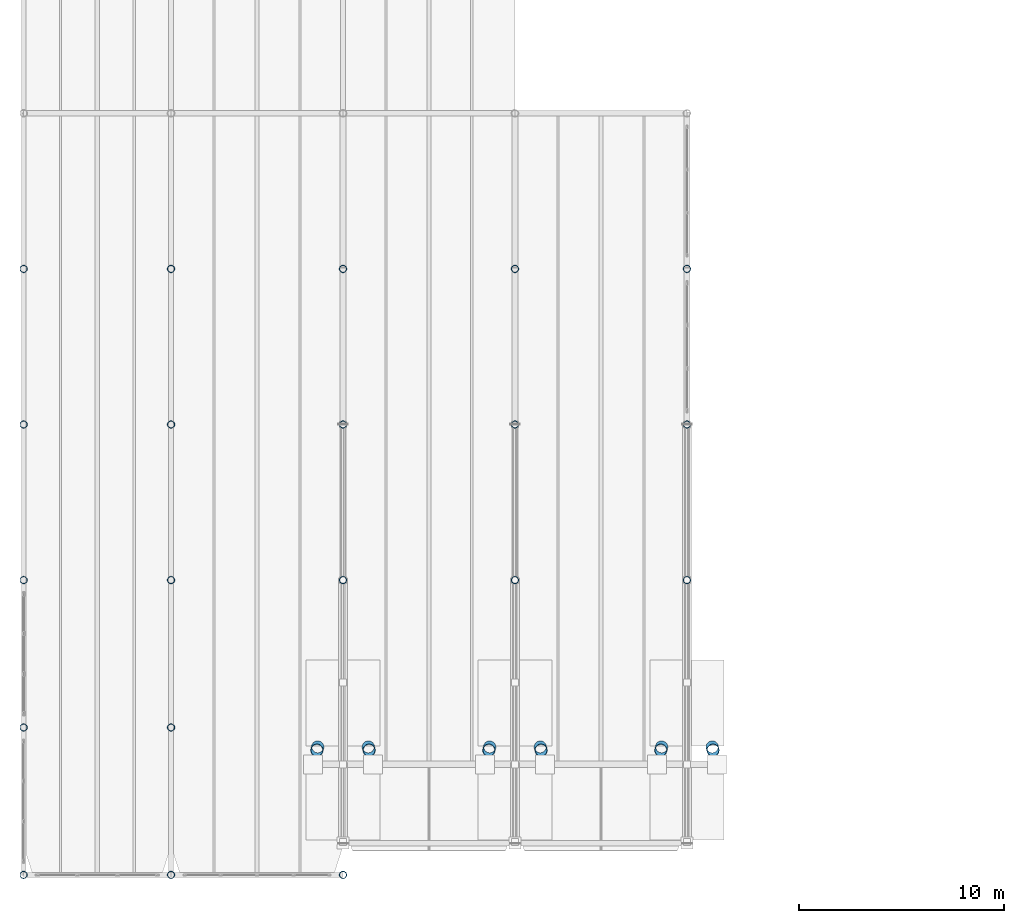
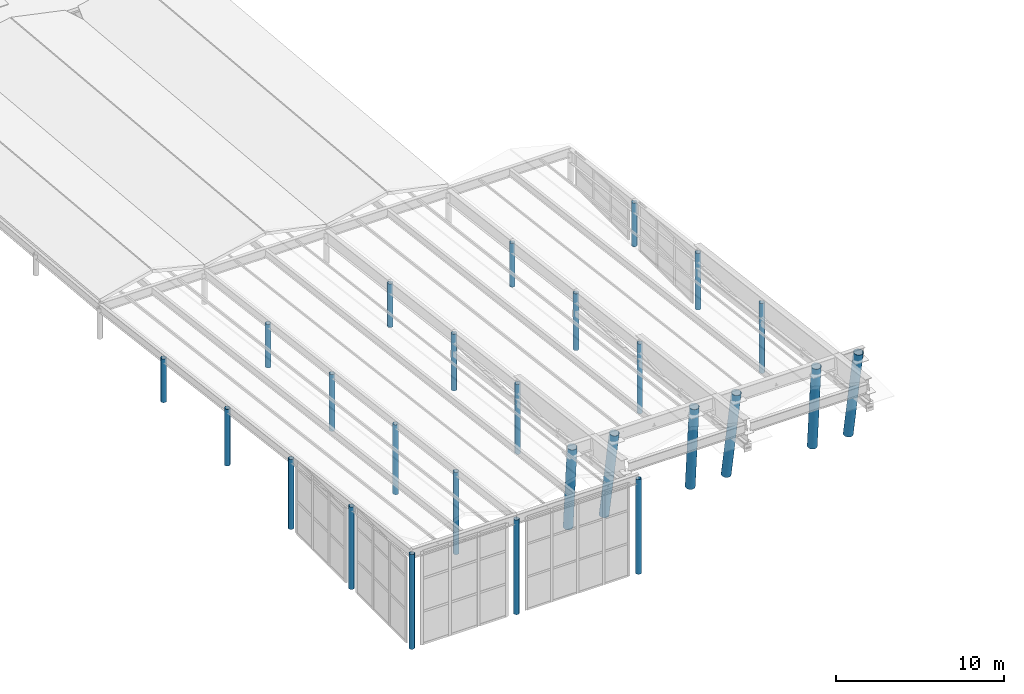
# One storey, part 1 of 14: 26 columns.
"""IFC4 building model written with IfcOpenShell, lengths in metres."""

from ifc_helpers import new_model, si_unit, direction, frame, origin, origin_2d, place, context, subcontext, project, spatial, hollow_circle, extrude, material, material_profile, profile_set, type_object, element, save


model = new_model("IFC4")

# Units and contexts
model_context = context("Model", 3, precision=1e-05, world=origin(), true_north=direction((0.0, 1.0)))
body_context = subcontext(model_context, "Body", "Model", "MODEL_VIEW")
ifc_project = project(units=[si_unit("LENGTHUNIT", "METRE"), si_unit("AREAUNIT", "SQUARE_METRE"), si_unit("VOLUMEUNIT", "CUBIC_METRE"), si_unit("PLANEANGLEUNIT", "RADIAN"), si_unit("MASSUNIT", "GRAM", prefix="KILO")], contexts=[model_context])

# Site, building, storey
site_placement = place(None, origin())
site = spatial("IfcSite", under=ifc_project, at=site_placement, CompositionType="ELEMENT")
building_placement = place(site_placement, origin())
building = spatial("IfcBuilding", under=site, at=building_placement, Name="Xicomal Pleat Aquarium", CompositionType="ELEMENT")
storey_placement = place(building_placement, frame((0.0, 0.0, 24.0)))
storey = spatial("IfcBuildingStorey", under=building, at=storey_placement, Name="RF", CompositionType="ELEMENT", Elevation=24.0)

# Columns
ifc_material_1 = material(Name="Architectural steel ASTM A572 Gr 50", Category="steel")
ifc_material_profile_1 = material_profile(ifc_material_1, hollow_circle(Radius=0.177978515625, WallThickness=0.01611328125, at=origin_2d()), Name="OC 356x16")
ifc_profile_set_1 = profile_set([ifc_material_profile_1], Name="Architectural steel ASTM A572 Gr 50")
column_type_1 = type_object("IfcColumnType", Name="COL-STL-OC356", PredefinedType="COLUMN", material=ifc_profile_set_1)
column_1_placement = place(storey_placement, frame((3.0, 0.800048828125, 0.0), z_axis=(0.0, 0.0, 1.0), x_axis=(1.0, 0.0, 0.0)))
element("IfcColumn", 1, at=column_1_placement, inside=storey, type_object=column_type_1, Name="RF pleated canopy support post 01/A", PredefinedType="COLUMN", context=body_context, shape_type="SweptSolid", body=[
    extrude(hollow_circle(Radius=0.177978515625, WallThickness=0.01611328125, at=origin_2d()), origin(), (0.0, 0.0, 1.0), 6.89111328125),
])
column_2_placement = place(storey_placement, frame((3.0, 8.0, 0.0), z_axis=(0.0, 0.0, 1.0), x_axis=(1.0, 0.0, 0.0)))
element("IfcColumn", 2, at=column_2_placement, inside=storey, type_object=column_type_1, Name="RF pleated canopy support post 01/B", PredefinedType="COLUMN", context=body_context, shape_type="SweptSolid", body=[
    extrude(hollow_circle(Radius=0.177978515625, WallThickness=0.01611328125, at=origin_2d()), origin(), (0.0, 0.0, 1.0), 5.987060546875),
])
column_3_placement = place(storey_placement, frame((3.0, 15.199951171875, 0.0), z_axis=(0.0, 0.0, 1.0), x_axis=(1.0, 0.0, 0.0)))
element("IfcColumn", 3, at=column_3_placement, inside=storey, type_object=column_type_1, Name="RF pleated canopy support post 01/C", PredefinedType="COLUMN", context=body_context, shape_type="SweptSolid", body=[
    extrude(hollow_circle(Radius=0.177978515625, WallThickness=0.01611328125, at=origin_2d()), origin(), (0.0, 0.0, 1.0), 5.0830078125),
])
column_4_placement = place(storey_placement, frame((3.0, 22.800048828125, 0.0), z_axis=(0.0, 0.0, 1.0), x_axis=(1.0, 0.0, 0.0)))
element("IfcColumn", 4, at=column_4_placement, inside=storey, type_object=column_type_1, Name="RF pleated canopy support post 01/D", PredefinedType="COLUMN", context=body_context, shape_type="SweptSolid", body=[
    extrude(hollow_circle(Radius=0.177978515625, WallThickness=0.01611328125, at=origin_2d()), origin(), (0.0, 0.0, 1.0), 4.1279296875),
])
column_5_placement = place(storey_placement, frame((3.0, 30.39990234375, 0.0), z_axis=(0.0, 0.0, 1.0), x_axis=(1.0, 0.0, 0.0)))
element("IfcColumn", 5, at=column_5_placement, inside=storey, type_object=column_type_1, Name="RF pleated canopy support post 01/E", PredefinedType="COLUMN", context=body_context, shape_type="SweptSolid", body=[
    extrude(hollow_circle(Radius=0.177978515625, WallThickness=0.01611328125, at=origin_2d()), origin(), (0.0, 0.0, 1.0), 3.174072265625),
])
column_6_placement = place(storey_placement, frame((10.199951171875, 0.800048828125, 0.0), z_axis=(0.0, 0.0, 1.0), x_axis=(1.0, 0.0, 0.0)))
element("IfcColumn", 6, at=column_6_placement, inside=storey, type_object=column_type_1, Name="RF pleated canopy support post 02/A", PredefinedType="COLUMN", context=body_context, shape_type="SweptSolid", body=[
    extrude(hollow_circle(Radius=0.177978515625, WallThickness=0.01611328125, at=origin_2d()), origin(), (0.0, 0.0, 1.0), 6.89111328125),
])
column_7_placement = place(storey_placement, frame((10.199951171875, 8.0, 0.0), z_axis=(0.0, 0.0, 1.0), x_axis=(1.0, 0.0, 0.0)))
element("IfcColumn", 7, at=column_7_placement, inside=storey, type_object=column_type_1, Name="RF pleated canopy support post 02/B", PredefinedType="COLUMN", context=body_context, shape_type="SweptSolid", body=[
    extrude(hollow_circle(Radius=0.177978515625, WallThickness=0.01611328125, at=origin_2d()), origin(), (0.0, 0.0, 1.0), 5.987060546875),
])
column_8_placement = place(storey_placement, frame((10.199951171875, 15.199951171875, 0.0), z_axis=(0.0, 0.0, 1.0), x_axis=(1.0, 0.0, 0.0)))
element("IfcColumn", 8, at=column_8_placement, inside=storey, type_object=column_type_1, Name="RF pleated canopy support post 02/C", PredefinedType="COLUMN", context=body_context, shape_type="SweptSolid", body=[
    extrude(hollow_circle(Radius=0.177978515625, WallThickness=0.01611328125, at=origin_2d()), origin(), (0.0, 0.0, 1.0), 5.0830078125),
])
column_9_placement = place(storey_placement, frame((10.199951171875, 22.800048828125, 0.0), z_axis=(0.0, 0.0, 1.0), x_axis=(1.0, 0.0, 0.0)))
element("IfcColumn", 9, at=column_9_placement, inside=storey, type_object=column_type_1, Name="RF pleated canopy support post 02/D", PredefinedType="COLUMN", context=body_context, shape_type="SweptSolid", body=[
    extrude(hollow_circle(Radius=0.177978515625, WallThickness=0.01611328125, at=origin_2d()), origin(), (0.0, 0.0, 1.0), 4.1279296875),
])
column_10_placement = place(storey_placement, frame((10.199951171875, 30.39990234375, 0.0), z_axis=(0.0, 0.0, 1.0), x_axis=(1.0, 0.0, 0.0)))
element("IfcColumn", 10, at=column_10_placement, inside=storey, type_object=column_type_1, Name="RF pleated canopy support post 02/E", PredefinedType="COLUMN", context=body_context, shape_type="SweptSolid", body=[
    extrude(hollow_circle(Radius=0.177978515625, WallThickness=0.01611328125, at=origin_2d()), origin(), (0.0, 0.0, 1.0), 3.174072265625),
])
column_11_placement = place(storey_placement, frame((18.60009765625, 0.800048828125, 0.0), z_axis=(0.0, 0.0, 1.0), x_axis=(1.0, 0.0, 0.0)))
element("IfcColumn", 11, at=column_11_placement, inside=storey, type_object=column_type_1, Name="RF pleated canopy support post 03/A", PredefinedType="COLUMN", context=body_context, shape_type="SweptSolid", body=[
    extrude(hollow_circle(Radius=0.177978515625, WallThickness=0.01611328125, at=origin_2d()), origin(), (0.0, 0.0, 1.0), 6.89111328125),
])
column_12_placement = place(storey_placement, frame((18.60009765625, 15.199951171875, 0.0), z_axis=(0.0, 0.0, 1.0), x_axis=(1.0, 0.0, 0.0)))
element("IfcColumn", 12, at=column_12_placement, inside=storey, type_object=column_type_1, Name="RF pleated canopy support post 03/C", PredefinedType="COLUMN", context=body_context, shape_type="SweptSolid", body=[
    extrude(hollow_circle(Radius=0.177978515625, WallThickness=0.01611328125, at=origin_2d()), origin(), (0.0, 0.0, 1.0), 5.0830078125),
])
column_13_placement = place(storey_placement, frame((18.60009765625, 22.800048828125, 0.0), z_axis=(0.0, 0.0, 1.0), x_axis=(1.0, 0.0, 0.0)))
element("IfcColumn", 13, at=column_13_placement, inside=storey, type_object=column_type_1, Name="RF pleated canopy support post 03/D", PredefinedType="COLUMN", context=body_context, shape_type="SweptSolid", body=[
    extrude(hollow_circle(Radius=0.177978515625, WallThickness=0.01611328125, at=origin_2d()), origin(), (0.0, 0.0, 1.0), 4.1279296875),
])
column_14_placement = place(storey_placement, frame((18.60009765625, 30.39990234375, 0.0), z_axis=(0.0, 0.0, 1.0), x_axis=(1.0, 0.0, 0.0)))
element("IfcColumn", 14, at=column_14_placement, inside=storey, type_object=column_type_1, Name="RF pleated canopy support post 03/E", PredefinedType="COLUMN", context=body_context, shape_type="SweptSolid", body=[
    extrude(hollow_circle(Radius=0.177978515625, WallThickness=0.01611328125, at=origin_2d()), origin(), (0.0, 0.0, 1.0), 3.174072265625),
])
column_15_placement = place(storey_placement, frame((27.0, 15.199951171875, 0.0), z_axis=(0.0, 0.0, 1.0), x_axis=(1.0, 0.0, 0.0)))
element("IfcColumn", 15, at=column_15_placement, inside=storey, type_object=column_type_1, Name="RF pleated canopy support post 04/C", PredefinedType="COLUMN", context=body_context, shape_type="SweptSolid", body=[
    extrude(hollow_circle(Radius=0.177978515625, WallThickness=0.01611328125, at=origin_2d()), origin(), (0.0, 0.0, 1.0), 5.0830078125),
])
column_16_placement = place(storey_placement, frame((27.0, 22.800048828125, 0.0), z_axis=(0.0, 0.0, 1.0), x_axis=(1.0, 0.0, 0.0)))
element("IfcColumn", 16, at=column_16_placement, inside=storey, type_object=column_type_1, Name="RF pleated canopy support post 04/D", PredefinedType="COLUMN", context=body_context, shape_type="SweptSolid", body=[
    extrude(hollow_circle(Radius=0.177978515625, WallThickness=0.01611328125, at=origin_2d()), origin(), (0.0, 0.0, 1.0), 4.1279296875),
])
column_17_placement = place(storey_placement, frame((27.0, 30.39990234375, 0.0), z_axis=(0.0, 0.0, 1.0), x_axis=(1.0, 0.0, 0.0)))
element("IfcColumn", 17, at=column_17_placement, inside=storey, type_object=column_type_1, Name="RF pleated canopy support post 04/E", PredefinedType="COLUMN", context=body_context, shape_type="SweptSolid", body=[
    extrude(hollow_circle(Radius=0.177978515625, WallThickness=0.01611328125, at=origin_2d()), origin(), (0.0, 0.0, 1.0), 3.174072265625),
])
column_18_placement = place(storey_placement, frame((35.39990234375, 15.199951171875, 0.0), z_axis=(0.0, 0.0, 1.0), x_axis=(1.0, 0.0, 0.0)))
element("IfcColumn", 18, at=column_18_placement, inside=storey, type_object=column_type_1, Name="RF pleated canopy support post 05/C", PredefinedType="COLUMN", context=body_context, shape_type="SweptSolid", body=[
    extrude(hollow_circle(Radius=0.177978515625, WallThickness=0.01611328125, at=origin_2d()), origin(), (0.0, 0.0, 1.0), 5.0830078125),
])
column_19_placement = place(storey_placement, frame((35.39990234375, 22.800048828125, 0.0), z_axis=(0.0, 0.0, 1.0), x_axis=(1.0, 0.0, 0.0)))
element("IfcColumn", 19, at=column_19_placement, inside=storey, type_object=column_type_1, Name="RF pleated canopy support post 05/D", PredefinedType="COLUMN", context=body_context, shape_type="SweptSolid", body=[
    extrude(hollow_circle(Radius=0.177978515625, WallThickness=0.01611328125, at=origin_2d()), origin(), (0.0, 0.0, 1.0), 4.1279296875),
])
column_20_placement = place(storey_placement, frame((35.39990234375, 30.39990234375, 0.0), z_axis=(0.0, 0.0, 1.0), x_axis=(1.0, 0.0, 0.0)))
element("IfcColumn", 20, at=column_20_placement, inside=storey, type_object=column_type_1, Name="RF pleated canopy support post 05/E", PredefinedType="COLUMN", context=body_context, shape_type="SweptSolid", body=[
    extrude(hollow_circle(Radius=0.177978515625, WallThickness=0.01611328125, at=origin_2d()), origin(), (0.0, 0.0, 1.0), 3.174072265625),
])
ifc_material_2 = material(Name="Architectural steel ASTM A572 Gr 50", Category="steel")
ifc_material_profile_2 = material_profile(ifc_material_2, hollow_circle(Radius=0.304931640625, WallThickness=0.02392578125, at=origin_2d()), Name="OC 610x24")
ifc_profile_set_2 = profile_set([ifc_material_profile_2], Name="Architectural steel ASTM A572 Gr 50")
column_type_2 = type_object("IfcColumnType", Name="COL-STL-OC610", PredefinedType="COLUMN", material=ifc_profile_set_2)
for number, where, z_axis, x_axis, name in (
    (21, (17.363037109375, 7.0419921875, 0.006103515625), (-0.033041111602, -0.130536991886, 0.990892718054), (0.969427377847, -0.245378399785, 0.0), "RF entrance pavilion splayed steel column 03W"),
    (22, (19.8369140625, 7.0419921875, 0.006103515625), (0.033041111602, -0.130536991886, 0.990892718054), (0.969427377847, 0.245378399785, 0.0), "RF entrance pavilion splayed steel column 03E"),
    (23, (25.762939453125, 7.0419921875, 0.006103515625), (-0.033003305071, -0.130537155034, 0.990893956491), (0.96949420759, -0.245114221229, 0.0), "RF entrance pavilion splayed steel column 04W"),
    (24, (28.237060546875, 7.0419921875, 0.006103515625), (0.033003305071, -0.130537155034, 0.990893956491), (0.96949420759, 0.245114221229, 0.0), "RF entrance pavilion splayed steel column 04E"),
    (25, (34.1630859375, 7.0419921875, 0.006103515625), (-0.033041111602, -0.130536991886, 0.990892718054), (0.969427377847, -0.245378399785, 0.0), "RF entrance pavilion splayed steel column 05W"),
    (26, (36.636962890625, 7.0419921875, 0.006103515625), (0.033041111602, -0.130536991886, 0.990892718054), (0.969427377847, 0.245378399785, 0.0), "RF entrance pavilion splayed steel column 05E"),
):
    element("IfcColumn", number, at=place(storey_placement, frame(where, z_axis=z_axis, x_axis=x_axis)), inside=storey, type_object=column_type_2, Name=name, PredefinedType="COLUMN", context=body_context, shape_type="SweptSolid", body=[
        extrude(hollow_circle(Radius=0.304931640625, WallThickness=0.02392578125, at=origin_2d()), origin(), (0.0, 0.0, 1.0), 6.45068359375),
    ])

save(model, "model.ifc")
